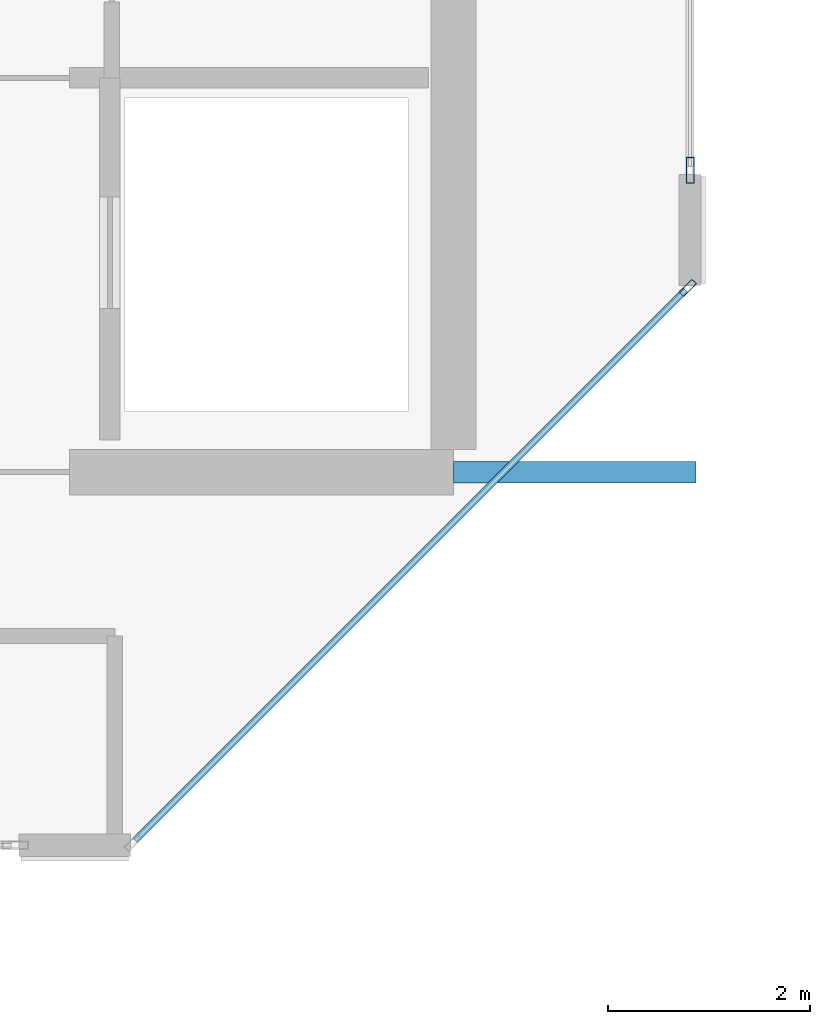
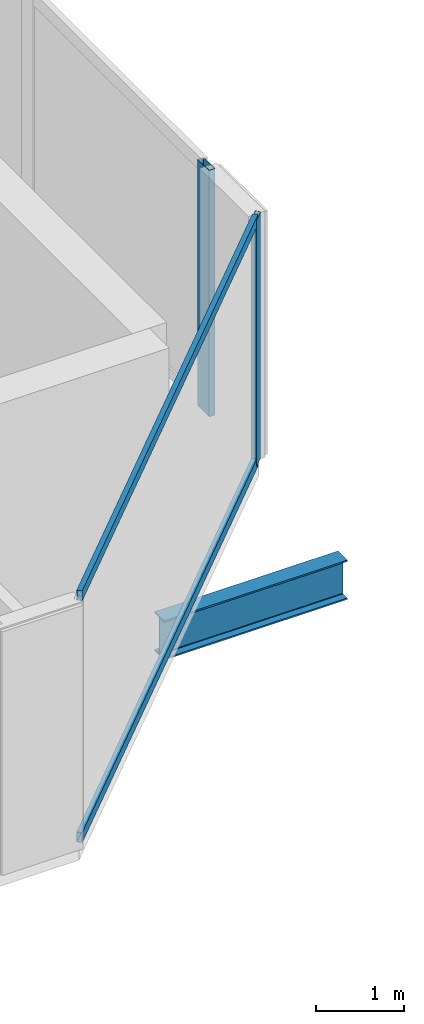
# One storey, part 3 of 28: 4 members, 1 beam, 2 elements without a shape of their own.
"""IFC4 building model written with IfcOpenShell, lengths in metres."""

from ifc_helpers import new_model, si_unit, direction, frame, origin, origin_2d, place, context, subcontext, project, spatial, hollow_rectangle, i_section, extrude, material, layer, layer_set, material_profile, profile_set, type_object, element, aggregate, save


model = new_model("IFC4")

# Units and contexts
model_context = context("Model", 3, precision=1e-05, world=origin(), true_north=direction((0.0, 1.0)))
body_context = subcontext(model_context, "Body", "Model", "MODEL_VIEW")
ifc_project = project(units=[si_unit("LENGTHUNIT", "METRE"), si_unit("AREAUNIT", "SQUARE_METRE"), si_unit("VOLUMEUNIT", "CUBIC_METRE"), si_unit("PLANEANGLEUNIT", "RADIAN"), si_unit("MASSUNIT", "GRAM", prefix="KILO")], contexts=[model_context])

# Site, building, storey
site_placement = place(None, origin())
site = spatial("IfcSite", under=ifc_project, at=site_placement, CompositionType="ELEMENT")
building_placement = place(site_placement, origin())
building = spatial("IfcBuilding", under=site, at=building_placement, Name="Tanjung Sevakor Pilgrim Tower", CompositionType="ELEMENT")
storey_placement = place(building_placement, frame((0.0, 0.0, 249.81005859375)))
storey = spatial("IfcBuildingStorey", under=building, at=storey_placement, Name="L70", CompositionType="ELEMENT", Elevation=249.81005859375)

# Beam
ifc_material_1 = material(Name="Steel S355J2", Category="steel")
ifc_material_profile_1 = material_profile(ifc_material_1, i_section(OverallWidth=0.2119140625, OverallDepth=0.54443359375, WebThickness=0.0126953125, FlangeThickness=0.021240234375, FilletRadius=0.0126953125, at=origin_2d()))
ifc_profile_set_1 = profile_set([ifc_material_profile_1], Name="Steel S355J2")
beam_type = type_object("IfcBeamType", Name="BM-B-G5-UB_533x210x122", PredefinedType="BEAM", material=ifc_profile_set_1)
beam_placement = place(storey_placement, frame((36.0, 24.60009765625, -0.492431640625), z_axis=(1.0, 0.0, 0.0), x_axis=(0.0, 1.0, 0.0)))
element("IfcBeam", 1, at=beam_placement, inside=storey, type_object=beam_type, Name="L70 West Peak Cantilever Girder 1", PredefinedType="BEAM", context=body_context, shape_type="SweptSolid", body=[
    extrude(i_section(OverallWidth=0.2119140625, OverallDepth=0.54443359375, WebThickness=0.0126953125, FlangeThickness=0.021240234375, FilletRadius=0.0126953125, at=origin_2d()), origin(), (0.0, 0.0, 1.0), 2.39990234375),
])

# Curtain wall, member
ifc_material_2 = material(Name="Aluminium 6063-T6 and Low-E Glass", Category="aluminium")
ifc_layer_1 = layer(ifc_material_2, 0.179931640625)
ifc_layer_set_1 = layer_set([ifc_layer_1], Name="CW-SYS-CHAM")
curtain_wall_type_1 = type_object("IfcCurtainWallType", Name="CW-SYS-CHAM", PredefinedType="NOTDEFINED", material=ifc_layer_set_1)
curtain_wall_1_placement = place(storey_placement, origin())
curtain_wall_1 = element("IfcCurtainWall", 2, at=curtain_wall_1_placement, inside=storey, type_object=curtain_wall_type_1, Name="L70 Curtain Wall CW-CHM-L70-WEST-1", PredefinedType="NOTDEFINED")
ifc_material_3 = material(Name="Aluminium 6063-T6", Category="aluminium")
ifc_material_profile_2 = material_profile(ifc_material_3, hollow_rectangle(XDim=0.06494140625, YDim=0.179931640625, WallThickness=0.00390625, at=origin_2d()))
ifc_profile_set_2 = profile_set([ifc_material_profile_2], Name="Aluminium 6063-T6")
member_type_1 = type_object("IfcMemberType", Name="TYPE-CWM-1", PredefinedType="MULLION", material=ifc_profile_set_2)
member_1_placement = place(storey_placement, frame((38.317138671875, 26.422607421875, 0.0), z_axis=(0.0, 0.0, 1.0), x_axis=(-0.707106781187, 0.707106781187, 0.0)))
member_1 = element("IfcMember", 3, at=member_1_placement, type_object=member_type_1, Name="CW-CHM mullion 2", PredefinedType="MULLION", context=body_context, shape_type="SweptSolid", body=[
    extrude(hollow_rectangle(XDim=0.06494140625, YDim=0.179931640625, WallThickness=0.00390625, at=origin_2d()), origin(), (0.0, 0.0, 1.0), 3.409912109375),
])

ifc_material_4 = material(Name="Aluminium 6063-T6 and Low-E Glass", Category="aluminium")
ifc_layer_2 = layer(ifc_material_4, 0.199951171875)
ifc_layer_set_2 = layer_set([ifc_layer_2], Name="CW-SYS-CRNW")
curtain_wall_type_2 = type_object("IfcCurtainWallType", Name="CW-SYS-CRNW", PredefinedType="NOTDEFINED", material=ifc_layer_set_2)
curtain_wall_2_placement = place(storey_placement, origin())
curtain_wall_2 = element("IfcCurtainWall", 4, at=curtain_wall_2_placement, inside=storey, type_object=curtain_wall_type_2, Name="L70 Curtain Wall CW-CRN-L70-WEST-2-1", PredefinedType="NOTDEFINED")
ifc_material_5 = material(Name="Aluminium 6063-T6", Category="aluminium")
ifc_material_profile_3 = material_profile(ifc_material_5, hollow_rectangle(XDim=0.080078125, YDim=0.260009765625, WallThickness=0.0048828125, at=origin_2d()))
ifc_profile_set_3 = profile_set([ifc_material_profile_3], Name="Aluminium 6063-T6")
member_type_2 = type_object("IfcMemberType", Name="TYPE-CWM-3", PredefinedType="MULLION", material=ifc_profile_set_3)
member_2_placement = place(storey_placement, frame((38.340087890625, 27.585693359375, 0.0), z_axis=(0.0, 0.0, 1.0), x_axis=(-1.0, 0.0, 0.0)))
member_2 = element("IfcMember", 5, at=member_2_placement, type_object=member_type_2, Name="CW-CRW mullion 1", PredefinedType="MULLION", context=body_context, shape_type="SweptSolid", body=[
    extrude(hollow_rectangle(XDim=0.080078125, YDim=0.260009765625, WallThickness=0.0048828125, at=origin_2d()), origin(), (0.0, 0.0, 1.0), 3.409912109375),
])
aggregate(curtain_wall_2, [member_2])

# Member
ifc_material_6 = material(Name="Aluminium 6063-T6", Category="aluminium")
ifc_material_profile_4 = material_profile(ifc_material_6, hollow_rectangle(XDim=0.06494140625, YDim=0.139892578125, WallThickness=0.00390625, at=origin_2d()))
ifc_profile_set_4 = profile_set([ifc_material_profile_4], Name="Aluminium 6063-T6")
member_type_3 = type_object("IfcMemberType", Name="TYPE-CWT-1", PredefinedType="USERDEFINED", material=ifc_profile_set_4)
member_3_placement = place(storey_placement, frame((32.850341796875, 20.9560546875, 0.032470703125), z_axis=(0.707106781187, 0.707106781187, 0.0), x_axis=(-0.707106781187, 0.707106781187, 0.0)))
member_3 = element("IfcMember", 6, at=member_3_placement, type_object=member_type_3, Name="CW-CHM transom 1.1", ObjectType="TRANSOM", PredefinedType="USERDEFINED", context=body_context, shape_type="SweptSolid", body=[
    extrude(hollow_rectangle(XDim=0.06494140625, YDim=0.139892578125, WallThickness=0.00390625, at=origin_2d()), origin(), (0.0, 0.0, 1.0), 7.698486328125),
])

member_4_placement = place(storey_placement, frame((32.850341796875, 20.9560546875, 3.37744140625), z_axis=(0.707106781187, 0.707106781187, 0.0), x_axis=(-0.707106781187, 0.707106781187, 0.0)))
member_4 = element("IfcMember", 7, at=member_4_placement, type_object=member_type_3, Name="CW-CHM transom 1.2", ObjectType="TRANSOM", PredefinedType="USERDEFINED", context=body_context, shape_type="SweptSolid", body=[
    extrude(hollow_rectangle(XDim=0.06494140625, YDim=0.139892578125, WallThickness=0.00390625, at=origin_2d()), origin(), (0.0, 0.0, 1.0), 7.698486328125),
])

aggregate(curtain_wall_1, [member_1, member_3, member_4])

save(model, "model.ifc")
